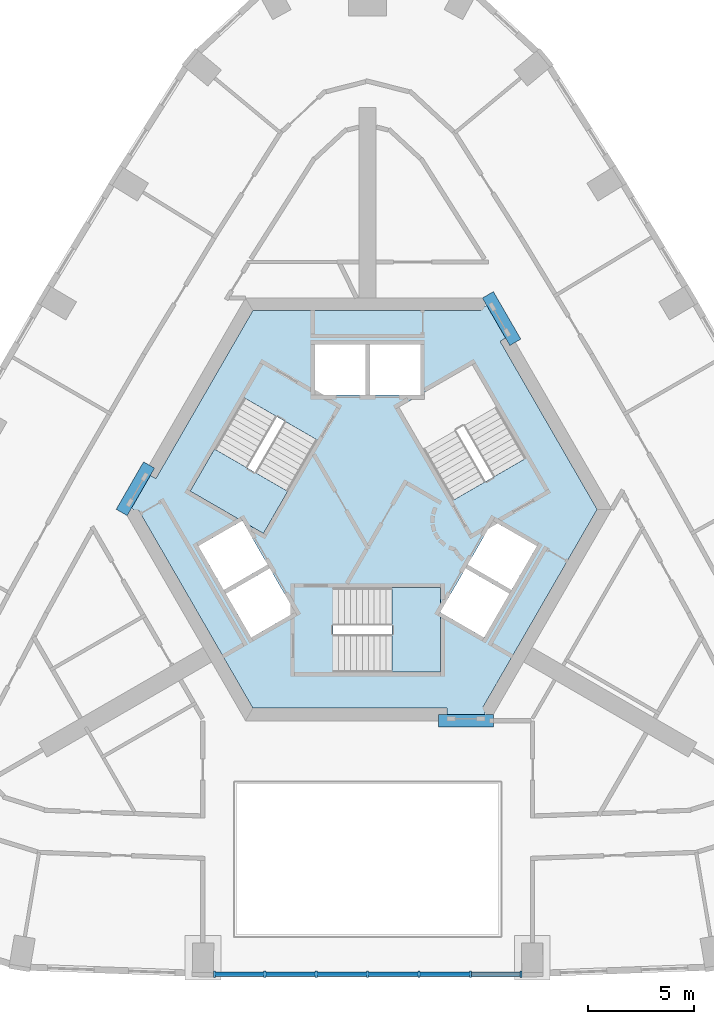
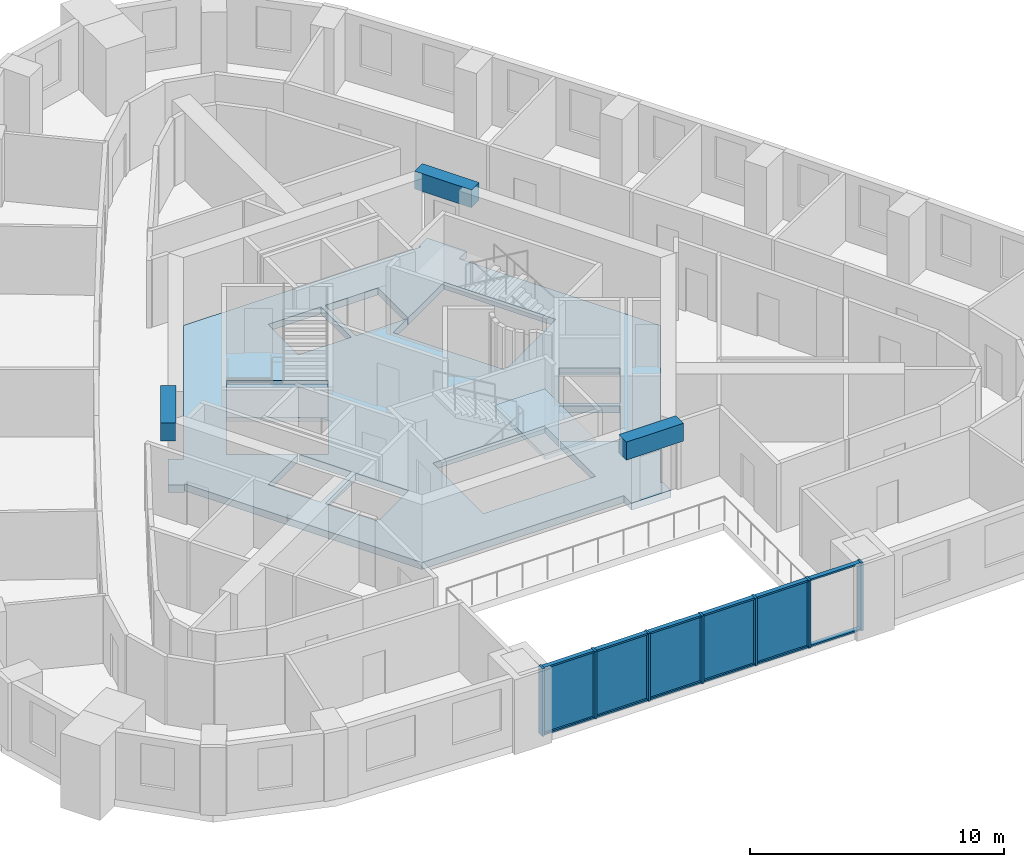
# One storey, part 2 of 10: 19 members, 5 plates, 3 beams, 3 slabs, 3 elements without a shape of their own.
"""IFC4 building model written with IfcOpenShell, lengths in metres."""

from ifc_helpers import new_model, si_unit, direction, frame, origin, origin_2d, place, context, subcontext, project, spatial, polyline, rectangle, outline, extrude, material, layer, layer_set, material_profile, profile_set, type_object, element, aggregate, save


model = new_model("IFC4")

# Units and contexts
model_context = context("Model", 3, precision=1e-05, world=origin(), true_north=direction((0.0, 1.0)))
body_context = subcontext(model_context, "Body", "Model", "MODEL_VIEW")
ifc_project = project(units=[si_unit("LENGTHUNIT", "METRE"), si_unit("AREAUNIT", "SQUARE_METRE"), si_unit("VOLUMEUNIT", "CUBIC_METRE"), si_unit("PLANEANGLEUNIT", "RADIAN"), si_unit("MASSUNIT", "GRAM", prefix="KILO")], contexts=[model_context])

# Site, building, storey
site_placement = place(None, origin())
site = spatial("IfcSite", under=ifc_project, at=site_placement, CompositionType="ELEMENT")
building_placement = place(site_placement, origin())
building = spatial("IfcBuilding", under=site, at=building_placement, Name="Entoto Arch Interchange Tower", CompositionType="ELEMENT")
storey_placement = place(building_placement, frame((0.0, 0.0, 245.0)))
storey = spatial("IfcBuildingStorey", under=building, at=storey_placement, Name="L55", CompositionType="ELEMENT", Elevation=245.0)

# Beams
ifc_material_1 = material(Name="Concrete C40/50", Category="concrete")
ifc_material_profile_1 = material_profile(ifc_material_1, rectangle(XDim=0.60009765625, YDim=0.860107421875, at=origin_2d()))
ifc_profile_set_1 = profile_set([ifc_material_profile_1], Name="Concrete C40/50")
beam_type = type_object("IfcBeamType", Name="Coupling beam RC 600x860 C40/50", PredefinedType="BEAM", material=ifc_profile_set_1)
beam_1_placement = place(storey_placement, frame((6.986083984375, 10.40087890625, 2.830078125), z_axis=(-0.500379508478, 0.865806183562, 0.0), x_axis=(-0.865806183562, -0.500379508478, 0.0)))
element("IfcBeam", 1, at=beam_1_placement, inside=storey, type_object=beam_type, Name="Coupling beam NE L55", PredefinedType="BEAM", context=body_context, shape_type="SweptSolid", body=[
    extrude(rectangle(XDim=0.60009765625, YDim=0.860107421875, at=origin_2d()), origin(), (0.0, 0.0, 1.0), 2.59423828125),
])
beam_2_placement = place(storey_placement, frame((-10.3359375, 4.59912109375, 2.830078125), z_axis=(-0.499814819145, -0.866132291606, 0.0), x_axis=(0.866132291606, -0.499814819145, 0.0)))
element("IfcBeam", 2, at=beam_2_placement, inside=storey, type_object=beam_type, Name="Coupling beam NW L55", PredefinedType="BEAM", context=body_context, shape_type="SweptSolid", body=[
    extrude(rectangle(XDim=0.60009765625, YDim=0.860107421875, at=origin_2d()), origin(), (0.0, 0.0, 1.0), 2.59326171875),
])
beam_3_placement = place(storey_placement, frame((3.35009765625, -7.5, 2.830078125), z_axis=(1.0, 0.0, 0.0), x_axis=(0.0, 1.0, 0.0)))
element("IfcBeam", 3, at=beam_3_placement, inside=storey, type_object=beam_type, Name="Coupling beam S L55", PredefinedType="BEAM", context=body_context, shape_type="SweptSolid", body=[
    extrude(rectangle(XDim=0.60009765625, YDim=0.860107421875, at=origin_2d()), origin(), (0.0, 0.0, 1.0), 2.593994140625),
])

# Curtain wall, members
ifc_material_2 = material(Name="Aluminium, anodised", Category="aluminium")
curtain_wall_type = type_object("IfcCurtainWallType", Name="CURTAIN WALL ATRIUM", PredefinedType="NOTDEFINED", material=ifc_material_2)
curtain_wall_placement = place(storey_placement, origin())
curtain_wall = element("IfcCurtainWall", 4, at=curtain_wall_placement, inside=storey, type_object=curtain_wall_type, Name="Atrium glazing S-02 L55", PredefinedType="NOTDEFINED")
ifc_material_profile_2 = material_profile(ifc_material_2, rectangle(XDim=0.300048828125, YDim=0.10009765625, at=origin_2d()))
ifc_profile_set_2 = profile_set([ifc_material_profile_2], Name="Aluminium, anodised")
member_type_1 = type_object("IfcMemberType", Name="MULLION ATRIUM 100x300", PredefinedType="MULLION", material=ifc_profile_set_2)
member_1_placement = place(storey_placement, frame((-7.2490234375, -19.48291015625, 0.0), z_axis=(0.0, 0.0, 1.0), x_axis=(0.0, 1.0, 0.0)))
member_1 = element("IfcMember", 5, at=member_1_placement, type_object=member_type_1, Name="CWA mullion 1", PredefinedType="MULLION", context=body_context, shape_type="SweptSolid", body=[
    extrude(rectangle(XDim=0.300048828125, YDim=0.10009765625, at=origin_2d()), origin(), (0.0, 0.0, 1.0), 3.260009765625),
])
member_2_placement = place(storey_placement, frame((-4.865966796875, -19.48291015625, 0.0), z_axis=(0.0, 0.0, 1.0), x_axis=(0.0, 1.0, 0.0)))
member_2 = element("IfcMember", 6, at=member_2_placement, type_object=member_type_1, Name="CWA mullion 2", PredefinedType="MULLION", context=body_context, shape_type="SweptSolid", body=[
    extrude(rectangle(XDim=0.300048828125, YDim=0.10009765625, at=origin_2d()), origin(), (0.0, 0.0, 1.0), 3.260009765625),
])
member_3_placement = place(storey_placement, frame((-2.43310546875, -19.48291015625, 0.0), z_axis=(0.0, 0.0, 1.0), x_axis=(0.0, 1.0, 0.0)))
member_3 = element("IfcMember", 7, at=member_3_placement, type_object=member_type_1, Name="CWA mullion 3", PredefinedType="MULLION", context=body_context, shape_type="SweptSolid", body=[
    extrude(rectangle(XDim=0.300048828125, YDim=0.10009765625, at=origin_2d()), origin(), (0.0, 0.0, 1.0), 3.260009765625),
])
member_4_placement = place(storey_placement, frame((0.0, -19.48291015625, 0.0), z_axis=(0.0, 0.0, 1.0), x_axis=(0.0, 1.0, 0.0)))
member_4 = element("IfcMember", 8, at=member_4_placement, type_object=member_type_1, Name="CWA mullion 4", PredefinedType="MULLION", context=body_context, shape_type="SweptSolid", body=[
    extrude(rectangle(XDim=0.300048828125, YDim=0.10009765625, at=origin_2d()), origin(), (0.0, 0.0, 1.0), 3.260009765625),
])
member_5_placement = place(storey_placement, frame((2.43310546875, -19.48291015625, 0.0), z_axis=(0.0, 0.0, 1.0), x_axis=(0.0, 1.0, 0.0)))
member_5 = element("IfcMember", 9, at=member_5_placement, type_object=member_type_1, Name="CWA mullion 5", PredefinedType="MULLION", context=body_context, shape_type="SweptSolid", body=[
    extrude(rectangle(XDim=0.300048828125, YDim=0.10009765625, at=origin_2d()), origin(), (0.0, 0.0, 1.0), 3.260009765625),
])
member_6_placement = place(storey_placement, frame((4.865966796875, -19.48291015625, 0.0), z_axis=(0.0, 0.0, 1.0), x_axis=(0.0, 1.0, 0.0)))
member_6 = element("IfcMember", 10, at=member_6_placement, type_object=member_type_1, Name="CWA mullion 6", PredefinedType="MULLION", context=body_context, shape_type="SweptSolid", body=[
    extrude(rectangle(XDim=0.300048828125, YDim=0.10009765625, at=origin_2d()), origin(), (0.0, 0.0, 1.0), 3.260009765625),
])
member_7_placement = place(storey_placement, frame((7.2490234375, -19.48291015625, 0.0), z_axis=(0.0, 0.0, 1.0), x_axis=(0.0, 1.0, 0.0)))
member_7 = element("IfcMember", 11, at=member_7_placement, type_object=member_type_1, Name="CWA mullion 7", PredefinedType="MULLION", context=body_context, shape_type="SweptSolid", body=[
    extrude(rectangle(XDim=0.300048828125, YDim=0.10009765625, at=origin_2d()), origin(), (0.0, 0.0, 1.0), 3.260009765625),
])
ifc_material_profile_3 = material_profile(ifc_material_2, rectangle(XDim=0.199951171875, YDim=0.080078125, at=origin_2d()))
ifc_profile_set_3 = profile_set([ifc_material_profile_3], Name="Aluminium, anodised")
member_type_2 = type_object("IfcMemberType", Name="TRANSOM ATRIUM 80x200", PredefinedType="USERDEFINED", material=ifc_profile_set_3)
member_8_placement = place(storey_placement, frame((-7.198974609375, -19.48291015625, 0.0400390625), z_axis=(1.0, 0.0, 0.0), x_axis=(0.0, 1.0, 0.0)))
member_8 = element("IfcMember", 12, at=member_8_placement, type_object=member_type_2, Name="CWA transom 1.1", ObjectType="TRANSOM", PredefinedType="USERDEFINED", context=body_context, shape_type="SweptSolid", body=[
    extrude(rectangle(XDim=0.199951171875, YDim=0.080078125, at=origin_2d()), origin(), (0.0, 0.0, 1.0), 2.282958984375),
])
member_9_placement = place(storey_placement, frame((-7.198974609375, -19.48291015625, 3.219970703125), z_axis=(1.0, 0.0, 0.0), x_axis=(0.0, 1.0, 0.0)))
member_9 = element("IfcMember", 13, at=member_9_placement, type_object=member_type_2, Name="CWA transom 1.2", ObjectType="TRANSOM", PredefinedType="USERDEFINED", context=body_context, shape_type="SweptSolid", body=[
    extrude(rectangle(XDim=0.199951171875, YDim=0.080078125, at=origin_2d()), origin(), (0.0, 0.0, 1.0), 2.282958984375),
])
member_10_placement = place(storey_placement, frame((-4.81591796875, -19.48291015625, 0.0400390625), z_axis=(1.0, 0.0, 0.0), x_axis=(0.0, 1.0, 0.0)))
member_10 = element("IfcMember", 14, at=member_10_placement, type_object=member_type_2, Name="CWA transom 2.1", ObjectType="TRANSOM", PredefinedType="USERDEFINED", context=body_context, shape_type="SweptSolid", body=[
    extrude(rectangle(XDim=0.199951171875, YDim=0.080078125, at=origin_2d()), origin(), (0.0, 0.0, 1.0), 2.3330078125),
])
member_11_placement = place(storey_placement, frame((-4.81591796875, -19.48291015625, 3.219970703125), z_axis=(1.0, 0.0, 0.0), x_axis=(0.0, 1.0, 0.0)))
member_11 = element("IfcMember", 15, at=member_11_placement, type_object=member_type_2, Name="CWA transom 2.2", ObjectType="TRANSOM", PredefinedType="USERDEFINED", context=body_context, shape_type="SweptSolid", body=[
    extrude(rectangle(XDim=0.199951171875, YDim=0.080078125, at=origin_2d()), origin(), (0.0, 0.0, 1.0), 2.3330078125),
])
member_12_placement = place(storey_placement, frame((-2.383056640625, -19.48291015625, 0.0400390625), z_axis=(1.0, 0.0, 0.0), x_axis=(0.0, 1.0, 0.0)))
member_12 = element("IfcMember", 16, at=member_12_placement, type_object=member_type_2, Name="CWA transom 3.1", ObjectType="TRANSOM", PredefinedType="USERDEFINED", context=body_context, shape_type="SweptSolid", body=[
    extrude(rectangle(XDim=0.199951171875, YDim=0.080078125, at=origin_2d()), origin(), (0.0, 0.0, 1.0), 2.3330078125),
])
member_13_placement = place(storey_placement, frame((-2.383056640625, -19.48291015625, 3.219970703125), z_axis=(1.0, 0.0, 0.0), x_axis=(0.0, 1.0, 0.0)))
member_13 = element("IfcMember", 17, at=member_13_placement, type_object=member_type_2, Name="CWA transom 3.2", ObjectType="TRANSOM", PredefinedType="USERDEFINED", context=body_context, shape_type="SweptSolid", body=[
    extrude(rectangle(XDim=0.199951171875, YDim=0.080078125, at=origin_2d()), origin(), (0.0, 0.0, 1.0), 2.3330078125),
])
member_14_placement = place(storey_placement, frame((0.050048828125, -19.48291015625, 0.0400390625), z_axis=(1.0, 0.0, 0.0), x_axis=(0.0, 1.0, 0.0)))
member_14 = element("IfcMember", 18, at=member_14_placement, type_object=member_type_2, Name="CWA transom 4.1", ObjectType="TRANSOM", PredefinedType="USERDEFINED", context=body_context, shape_type="SweptSolid", body=[
    extrude(rectangle(XDim=0.199951171875, YDim=0.080078125, at=origin_2d()), origin(), (0.0, 0.0, 1.0), 2.3330078125),
])
member_15_placement = place(storey_placement, frame((0.050048828125, -19.48291015625, 3.219970703125), z_axis=(1.0, 0.0, 0.0), x_axis=(0.0, 1.0, 0.0)))
member_15 = element("IfcMember", 19, at=member_15_placement, type_object=member_type_2, Name="CWA transom 4.2", ObjectType="TRANSOM", PredefinedType="USERDEFINED", context=body_context, shape_type="SweptSolid", body=[
    extrude(rectangle(XDim=0.199951171875, YDim=0.080078125, at=origin_2d()), origin(), (0.0, 0.0, 1.0), 2.3330078125),
])
member_16_placement = place(storey_placement, frame((2.48291015625, -19.48291015625, 0.0400390625), z_axis=(1.0, 0.0, 0.0), x_axis=(0.0, 1.0, 0.0)))
member_16 = element("IfcMember", 20, at=member_16_placement, type_object=member_type_2, Name="CWA transom 5.1", ObjectType="TRANSOM", PredefinedType="USERDEFINED", context=body_context, shape_type="SweptSolid", body=[
    extrude(rectangle(XDim=0.199951171875, YDim=0.080078125, at=origin_2d()), origin(), (0.0, 0.0, 1.0), 2.3330078125),
])
member_17_placement = place(storey_placement, frame((2.48291015625, -19.48291015625, 3.219970703125), z_axis=(1.0, 0.0, 0.0), x_axis=(0.0, 1.0, 0.0)))
member_17 = element("IfcMember", 21, at=member_17_placement, type_object=member_type_2, Name="CWA transom 5.2", ObjectType="TRANSOM", PredefinedType="USERDEFINED", context=body_context, shape_type="SweptSolid", body=[
    extrude(rectangle(XDim=0.199951171875, YDim=0.080078125, at=origin_2d()), origin(), (0.0, 0.0, 1.0), 2.3330078125),
])
member_18_placement = place(storey_placement, frame((4.916015625, -19.48291015625, 0.0400390625), z_axis=(1.0, 0.0, 0.0), x_axis=(0.0, 1.0, 0.0)))
member_18 = element("IfcMember", 22, at=member_18_placement, type_object=member_type_2, Name="CWA transom 6.1", ObjectType="TRANSOM", PredefinedType="USERDEFINED", context=body_context, shape_type="SweptSolid", body=[
    extrude(rectangle(XDim=0.199951171875, YDim=0.080078125, at=origin_2d()), origin(), (0.0, 0.0, 1.0), 2.282958984375),
])
member_19_placement = place(storey_placement, frame((4.916015625, -19.48291015625, 3.219970703125), z_axis=(1.0, 0.0, 0.0), x_axis=(0.0, 1.0, 0.0)))
member_19 = element("IfcMember", 23, at=member_19_placement, type_object=member_type_2, Name="CWA transom 6.2", ObjectType="TRANSOM", PredefinedType="USERDEFINED", context=body_context, shape_type="SweptSolid", body=[
    extrude(rectangle(XDim=0.199951171875, YDim=0.080078125, at=origin_2d()), origin(), (0.0, 0.0, 1.0), 2.282958984375),
])

# Slab
ifc_layer_1 = layer(ifc_material_1, 0.340087890625)
ifc_layer_set_1 = layer_set([ifc_layer_1], Name="Concrete C40/50")
slab_type_1 = type_object("IfcSlabType", Name="Core floor slab 340 C40/50", PredefinedType="FLOOR", material=ifc_layer_set_1)
slab_1_placement = place(storey_placement, frame((0.0, 0.0, -0.340087890625)))
element("IfcSlab", 24, at=slab_1_placement, inside=storey, type_object=slab_type_1, Name="Core floor slab L55", PredefinedType="FLOOR", context=body_context, shape_type="SweptSolid", body=[
    extrude(outline(polyline([(-10.824951171875, 2.450927734375), (-10.8701171875, 2.3740234375), (-11.431884765625, 2.698974609375), (-10.535888671875, 4.2529296875), (-10.014892578125, 3.952880859375), (-5.427001953125, 11.89990234375), (5.368896484375, 11.89990234375), (5.325927734375, 11.97607421875), (5.887939453125, 12.301025390625), (6.784912109375, 10.7470703125), (6.26611328125, 10.447021484375), (10.85400390625, 2.5), (5.4560546875, -6.85009765625), (5.5439453125, -6.85009765625), (5.5439453125, -7.5), (3.75, -7.5), (3.75, -6.89990234375), (-5.427001953125, -6.89990234375), (-10.824951171875, 2.450927734375)]), holes=[polyline([(-1.64990234375, -5.199951171875), (3.449951171875, -5.199951171875), (3.449951171875, -2.3779296875), (5.5048828125, -3.56494140625), (6.705078125, -1.487060546875), (4.626953125, -0.287109375), (3.449951171875, -2.324951171875), (3.449951171875, -1.199951171875), (-1.64990234375, -1.199951171875), (-1.64990234375, -5.199951171875)]), polyline([(-4.626953125, -0.287109375), (-6.705078125, -1.487060546875), (-5.5048828125, -3.56494140625), (-3.427001953125, -2.364990234375), (-4.626953125, -0.287109375)]), polyline([(-5.904052734375, 1.925048828125), (-4.928955078125, 1.362060546875), (-2.37890625, 5.779052734375), (-5.843017578125, 7.779052734375), (-8.39306640625, 3.362060546875), (-5.949951171875, 1.951904296875), (-8.0048828125, 0.764892578125), (-6.804931640625, -1.31298828125), (-4.72705078125, -0.113037109375), (-5.904052734375, 1.925048828125)]), polyline([(4.72705078125, -0.113037109375), (6.804931640625, -1.31298828125), (8.0048828125, 0.764892578125), (5.927001953125, 1.965087890625), (4.72705078125, -0.113037109375)]), polyline([(2.5, 7.927001953125), (2.5, 10.300048828125), (0.10009765625, 10.300048828125), (0.10009765625, 7.89990234375), (2.452880859375, 7.89990234375), (1.47900390625, 7.337890625), (4.029052734375, 2.9208984375), (7.492919921875, 4.9208984375), (4.943115234375, 9.337890625), (2.5, 7.927001953125)]), polyline([(-2.5, 7.89990234375), (-0.10009765625, 7.89990234375), (-0.10009765625, 10.300048828125), (-2.5, 10.300048828125), (-2.5, 7.89990234375)])]), origin(), (0.0, 0.0, 1.0), 0.340087890625),
])

# Stair, slab
stair_type = type_object("IfcStairType", Name="EXIT STAIR RC 1800", PredefinedType="HALF_TURN_STAIR", material=ifc_material_1)
stair_1_placement = place(storey_placement, origin())
stair_1 = element("IfcStair", 25, at=stair_1_placement, inside=storey, type_object=stair_type, Name="L55 Exit stair S", PredefinedType="HALF_TURN_STAIR")
ifc_layer_2 = layer(ifc_material_1, 0.199951171875)
ifc_layer_set_2 = layer_set([ifc_layer_2], Name="Concrete C40/50")
slab_type_2 = type_object("IfcSlabType", Name="EXIT STAIR LANDING RC 200", PredefinedType="LANDING", material=ifc_layer_set_2)
slab_2_placement = place(storey_placement, frame((0.0, 0.0, 1.60009765625)))
slab_2 = element("IfcSlab", 26, at=slab_2_placement, type_object=slab_type_2, Name="ST-S landing 1", PredefinedType="LANDING", context=body_context, shape_type="SweptSolid", body=[
    extrude(outline(polyline([(1.14990234375, -5.199951171875), (3.449951171875, -5.199951171875), (3.449951171875, -1.199951171875), (1.14990234375, -1.199951171875), (1.14990234375, -5.199951171875)])), origin(), (0.0, 0.0, 1.0), 0.199951171875),
])
aggregate(stair_1, [slab_2])

stair_2_placement = place(storey_placement, origin())
stair_2 = element("IfcStair", 27, at=stair_2_placement, inside=storey, type_object=stair_type, Name="L55 Exit stair NW", PredefinedType="HALF_TURN_STAIR")
slab_3_placement = place(storey_placement, frame((0.0, 0.0, 1.60009765625)))
slab_3 = element("IfcSlab", 28, at=slab_3_placement, type_object=slab_type_2, Name="ST-NW landing 1", PredefinedType="LANDING", context=body_context, shape_type="SweptSolid", body=[
    extrude(outline(polyline([(-7.243408203125, 5.35400390625), (-8.393310546875, 3.3623046875), (-4.92919921875, 1.3623046875), (-3.779296875, 3.35400390625), (-7.243408203125, 5.35400390625)])), origin(), (0.0, 0.0, 1.0), 0.199951171875),
])
aggregate(stair_2, [slab_3])

# Plate
ifc_material_3 = material(Name="Clear glass, low-e double glazed", Category="glass")
ifc_layer_3 = layer(ifc_material_3, 0.031982421875)
ifc_layer_set_3 = layer_set([ifc_layer_3], Name="Clear glass, low-e double glazed")
plate_type = type_object("IfcPlateType", Name="GLAZING PANEL ATRIUM 32", PredefinedType="CURTAIN_PANEL", material=ifc_layer_set_3)
plate_1_placement = place(storey_placement, frame((-6.0576171875, -19.48291015625, 0.079833984375), z_axis=(0.0, 0.0, 1.0), x_axis=(1.0, 0.0, 0.0)))
plate_1 = element("IfcPlate", 29, at=plate_1_placement, type_object=plate_type, Name="CWA panel 1.1", PredefinedType="CURTAIN_PANEL", context=body_context, shape_type="SweptSolid", body=[
    extrude(rectangle(XDim=2.282958984375, YDim=0.031982421875, at=origin_2d()), origin(), (0.0, 0.0, 1.0), 3.10009765625),
])

plate_2_placement = place(storey_placement, frame((-3.6494140625, -19.48291015625, 0.079833984375), z_axis=(0.0, 0.0, 1.0), x_axis=(1.0, 0.0, 0.0)))
plate_2 = element("IfcPlate", 30, at=plate_2_placement, type_object=plate_type, Name="CWA panel 2.1", PredefinedType="CURTAIN_PANEL", context=body_context, shape_type="SweptSolid", body=[
    extrude(rectangle(XDim=2.3330078125, YDim=0.031982421875, at=origin_2d()), origin(), (0.0, 0.0, 1.0), 3.10009765625),
])

plate_3_placement = place(storey_placement, frame((-1.216552734375, -19.48291015625, 0.079833984375), z_axis=(0.0, 0.0, 1.0), x_axis=(1.0, 0.0, 0.0)))
plate_3 = element("IfcPlate", 31, at=plate_3_placement, type_object=plate_type, Name="CWA panel 3.1", PredefinedType="CURTAIN_PANEL", context=body_context, shape_type="SweptSolid", body=[
    extrude(rectangle(XDim=2.3330078125, YDim=0.031982421875, at=origin_2d()), origin(), (0.0, 0.0, 1.0), 3.10009765625),
])

plate_4_placement = place(storey_placement, frame((1.216552734375, -19.48291015625, 0.079833984375), z_axis=(0.0, 0.0, 1.0), x_axis=(1.0, 0.0, 0.0)))
plate_4 = element("IfcPlate", 32, at=plate_4_placement, type_object=plate_type, Name="CWA panel 4.1", PredefinedType="CURTAIN_PANEL", context=body_context, shape_type="SweptSolid", body=[
    extrude(rectangle(XDim=2.3330078125, YDim=0.031982421875, at=origin_2d()), origin(), (0.0, 0.0, 1.0), 3.10009765625),
])

plate_5_placement = place(storey_placement, frame((3.6494140625, -19.48291015625, 0.079833984375), z_axis=(0.0, 0.0, 1.0), x_axis=(1.0, 0.0, 0.0)))
plate_5 = element("IfcPlate", 33, at=plate_5_placement, type_object=plate_type, Name="CWA panel 5.1", PredefinedType="CURTAIN_PANEL", context=body_context, shape_type="SweptSolid", body=[
    extrude(rectangle(XDim=2.3330078125, YDim=0.031982421875, at=origin_2d()), origin(), (0.0, 0.0, 1.0), 3.10009765625),
])

aggregate(curtain_wall, [member_1, member_2, member_3, member_4, member_5, member_6, member_7, member_8, member_9, plate_1, member_10, member_11, plate_2, member_12, member_13, plate_3, member_14, member_15, plate_4, member_16, member_17, plate_5, member_18, member_19])

save(model, "model.ifc")
